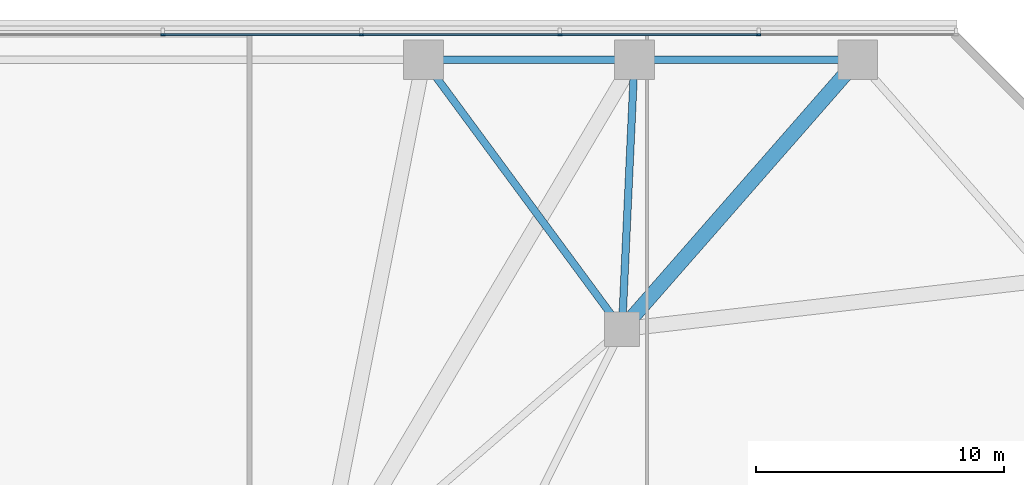
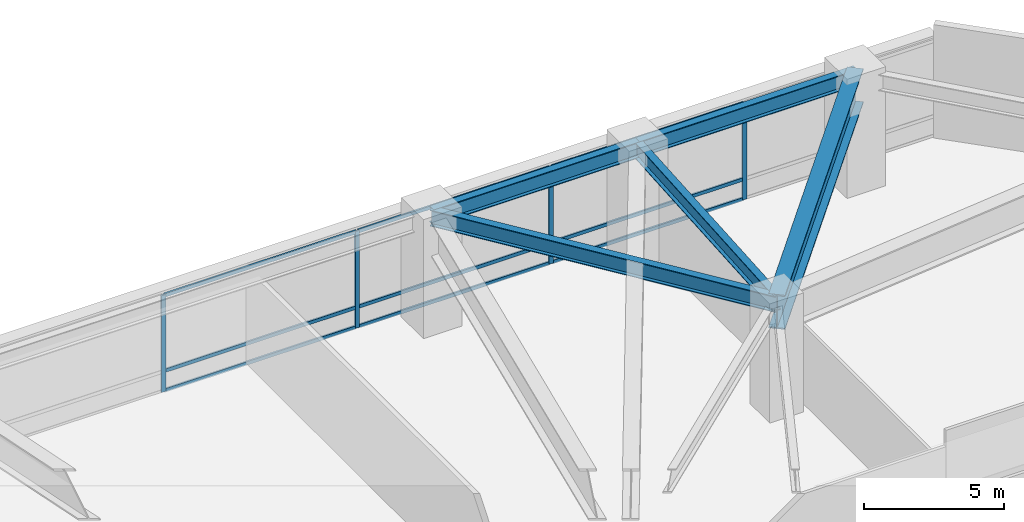
# One storey, part 11 of 27: 13 members, 5 beams, 1 element without a shape of its own.
"""IFC4 building model written with IfcOpenShell, lengths in metres."""

import ifcopenshell
import ifcopenshell.guid

model = None  # the IFC model being written
_history = None  # IfcOwnerHistory: only IFC2X3 demands one
_inside = {}  # id of a spatial element -> (the spatial element, [elements in it])
_under = {}  # id of a project, library or spatial element -> (it, [spatial elements below it])
_declared = {}  # id of a project -> (the project, [libraries it declares])
_typed = {}  # id of a type object -> (the type object, [elements of that type])
_made_of = {}  # id of a material, layer set ... -> (it, [elements and type objects made of it])


def new_model(schema):
    """Start an empty IFC model of exactly this schema.

    Asked for "IFC4X3", IfcOpenShell would pick the latest addendum, in which some entities
    have other attributes; the version numbers below select the first issue.
    IFC2X3 requires an IfcOwnerHistory on every rooted entity: one is made here for all.
    """
    global model, _history
    if schema == "IFC4X3":
        model = ifcopenshell.file(schema_version=(4, 3, 0, 0))
    else:
        model = ifcopenshell.file(schema=schema)
    _inside.clear()
    _under.clear()
    _declared.clear()
    _typed.clear()
    _made_of.clear()
    _history = None
    if model.schema == "IFC2X3":
        org = make("IfcOrganization", Name="unknown")
        user = make(
            "IfcPersonAndOrganization",
            ThePerson=make("IfcPerson", FamilyName="unknown"),
            TheOrganization=org,
        )
        app = make(
            "IfcApplication",
            ApplicationDeveloper=org,
            Version="unknown",
            ApplicationFullName="unknown",
            ApplicationIdentifier="unknown",
        )
        _history = make(
            "IfcOwnerHistory",
            OwningUser=user,
            OwningApplication=app,
            ChangeAction="ADDED",
            CreationDate=0,
        )
    return model


def make(cls, **values):
    """One entity of the class cls with the attributes given. An attribute that is None is left unset."""
    return model.create_entity(
        cls, **{name: value for name, value in values.items() if value is not None}
    )


def rooted(cls, **values):
    """An entity with a GlobalId (a new one), such as an element, a storey or a relation."""
    return make(cls, GlobalId=ifcopenshell.guid.new(), OwnerHistory=_history, **values)


def si_unit(unit_type, name, prefix=None):
    """IfcSIUnit, for example si_unit("LENGTHUNIT", "METRE", prefix="MILLI")."""
    return make("IfcSIUnit", UnitType=unit_type, Prefix=prefix, Name=name)


def assignment(units):
    """IfcUnitAssignment: the units of a project."""
    return None if units is None else make("IfcUnitAssignment", Units=units)


def point(xyz):
    """IfcCartesianPoint."""
    return None if xyz is None else make("IfcCartesianPoint", Coordinates=xyz)


def direction(xyz):
    """IfcDirection."""
    return None if xyz is None else make("IfcDirection", DirectionRatios=xyz)


def frame(location, z_axis=None, x_axis=None):
    """IfcAxis2Placement3D, a coordinate frame: its origin and axes. An axis left out is left unset."""
    return make(
        "IfcAxis2Placement3D",
        Location=point(location),
        Axis=direction(z_axis),
        RefDirection=direction(x_axis),
    )


def frame_2d(location, x_axis=None):
    """IfcAxis2Placement2D, a coordinate frame in the plane: its origin and x axis."""
    return make(
        "IfcAxis2Placement2D", Location=point(location), RefDirection=direction(x_axis)
    )


def origin():
    """The frame at (0, 0, 0) with its axes left unset."""
    return frame((0.0, 0.0, 0.0))


def origin_2d():
    """The frame at (0, 0) in the plane with its x axis left unset."""
    return frame_2d((0.0, 0.0))


def place(relative_to, where):
    """IfcLocalPlacement: puts the frame where relative to a parent placement (None: the world)."""
    return make(
        "IfcLocalPlacement", PlacementRelTo=relative_to, RelativePlacement=where
    )


def context(
    kind, dimensions, precision=None, world=None, true_north=None, identifier=None
):
    """IfcGeometricRepresentationContext, for example the 3D "Model" context."""
    return make(
        "IfcGeometricRepresentationContext",
        ContextIdentifier=identifier,
        ContextType=kind,
        CoordinateSpaceDimension=dimensions,
        Precision=precision,
        WorldCoordinateSystem=world,
        TrueNorth=true_north,
    )


def subcontext(parent, identifier, kind, view, scale=None):
    """IfcGeometricRepresentationSubContext, for example "Body" below "Model"."""
    return make(
        "IfcGeometricRepresentationSubContext",
        ContextIdentifier=identifier,
        ContextType=kind,
        ParentContext=parent,
        TargetScale=scale,
        TargetView=view,
    )


def project(units=None, contexts=None):
    """IfcProject with its units and contexts."""
    return rooted(
        "IfcProject",
        Name="project",
        RepresentationContexts=contexts,
        UnitsInContext=assignment(units),
    )


def spatial(cls, under=None, at=None, **own):
    """A site, building, storey or space (cls), placed at a placement, below another one or the project."""
    s = rooted(cls, ObjectPlacement=at, **own)
    if under is not None:
        _under.setdefault(under.id(), (under, []))[1].append(s)
    return s


def profile(cls, at=None, kind="AREA", **sizes):
    """A parametric profile (cls). Its sizes go by their IFC names, for example OverallWidth=200.0."""
    return make(cls, ProfileType=kind, Position=at, **sizes)


def rectangle(**sizes):
    """IfcRectangleProfileDef."""
    return profile("IfcRectangleProfileDef", **sizes)


def i_section(**sizes):
    """IfcIShapeProfileDef."""
    return profile("IfcIShapeProfileDef", **sizes)


def extrude(swept, where, along, depth):
    """IfcExtrudedAreaSolid: the profile swept, set in the frame where, extruded along a direction by depth."""
    return make(
        "IfcExtrudedAreaSolid",
        SweptArea=swept,
        Position=where,
        ExtrudedDirection=direction(along),
        Depth=depth,
    )


def shape(context_of_items, identifier, shape_type, items):
    """IfcShapeRepresentation: the items that make up one representation, for example the "Body"."""
    return make(
        "IfcShapeRepresentation",
        ContextOfItems=context_of_items,
        RepresentationIdentifier=identifier,
        RepresentationType=shape_type,
        Items=items,
    )


def material(Name=None, Category=None):
    """IfcMaterial."""
    return make("IfcMaterial", Name=Name, Category=Category)


def layer(
    of_material, thickness, ventilated=None, Name=None, Category=None, Priority=None
):
    """IfcMaterialLayer: one layer of a wall or slab, of a material (None: an air gap)."""
    return make(
        "IfcMaterialLayer",
        Material=of_material,
        LayerThickness=thickness,
        IsVentilated=ventilated,
        Name=Name,
        Category=Category,
        Priority=Priority,
    )


def layer_set(layers, Name=None):
    """IfcMaterialLayerSet."""
    return make("IfcMaterialLayerSet", MaterialLayers=layers, LayerSetName=Name)


def material_profile(
    of_material, cross_section, Name=None, Category=None, Priority=None
):
    """IfcMaterialProfile: a cross section and its material."""
    return make(
        "IfcMaterialProfile",
        Name=Name,
        Material=of_material,
        Profile=cross_section,
        Priority=Priority,
        Category=Category,
    )


def profile_set(profiles, Name=None, composite=None):
    """IfcMaterialProfileSet."""
    return make(
        "IfcMaterialProfileSet",
        Name=Name,
        MaterialProfiles=profiles,
        CompositeProfile=composite,
    )


def made_of(thing, what):
    """Note that an element or type object is made of a material, layer set ...; save() writes the relation."""
    if what is not None:
        _made_of.setdefault(what.id(), (what, []))[1].append(thing)
    return thing


def type_object(cls, material=None, **own):
    """A type object (cls), such as IfcWallType, which elements share."""
    return made_of(rooted(cls, **own), material)


def element(
    cls,
    number,
    at=None,
    inside=None,
    cuts=None,
    type_object=None,
    material=None,
    context=None,
    identifier="Body",
    shape_type=None,
    held_by="IfcProductDefinitionShape",
    body=None,
    shapes=None,
    **own,
):
    """One element of the class cls, such as IfcWall. Its Tag is "e" and its number.

    at: its placement. inside: the storey or other place that contains it. cuts: it is an
    opening in that element (IfcRelVoidsElement). A single representation is given by context,
    identifier, shape_type and body (its items); several are given by shapes. held_by: the class
    of the entity that holds the representations. save() writes the other relations.
    """
    e = rooted(cls, Tag="e%d" % number, ObjectPlacement=at, **own)
    if body is not None:
        shapes = [shape(context, identifier, shape_type, body)]
    if shapes is not None:
        e.Representation = make(held_by, Representations=shapes)
    if inside is not None:
        _inside.setdefault(inside.id(), (inside, []))[1].append(e)
    if cuts is not None:
        rooted(
            "IfcRelVoidsElement", RelatingBuildingElement=cuts, RelatedOpeningElement=e
        )
    if type_object is not None:
        _typed.setdefault(type_object.id(), (type_object, []))[1].append(e)
    return made_of(e, material)


def aggregate(whole, parts):
    """IfcRelAggregates: a whole, such as a stair, and the parts it consists of."""
    return rooted("IfcRelAggregates", RelatingObject=whole, RelatedObjects=parts)


def save(model, path):
    """Write the relations noted so far, then the file.

    IfcRelAggregates (storeys below a building ...), IfcRelContainedInSpatialStructure (elements
    in a storey), IfcRelDefinesByType, IfcRelAssociatesMaterial and IfcRelDeclares: one each for
    every whole, place, type object, material and project.
    """
    for whole, parts in _under.values():
        aggregate(whole, parts)
    for where, things in _inside.values():
        rooted(
            "IfcRelContainedInSpatialStructure",
            RelatedElements=things,
            RelatingStructure=where,
        )
    for kind, things in _typed.values():
        rooted("IfcRelDefinesByType", RelatedObjects=things, RelatingType=kind)
    for what, things in _made_of.values():
        rooted("IfcRelAssociatesMaterial", RelatedObjects=things, RelatingMaterial=what)
    for by, libraries in _declared.values():
        rooted("IfcRelDeclares", RelatingContext=by, RelatedDefinitions=libraries)
    model.write(path)


model = new_model("IFC4")

# Units and contexts
model_context = context("Model", 3, precision=1e-05, world=origin(), true_north=direction((0.0, 1.0)))
body_context = subcontext(model_context, "Body", "Model", "MODEL_VIEW")
ifc_project = project(units=[si_unit("LENGTHUNIT", "METRE"), si_unit("AREAUNIT", "SQUARE_METRE"), si_unit("VOLUMEUNIT", "CUBIC_METRE"), si_unit("PLANEANGLEUNIT", "RADIAN"), si_unit("MASSUNIT", "GRAM", prefix="KILO")], contexts=[model_context])

# Site, building, storey
site_placement = place(None, origin())
site = spatial("IfcSite", under=ifc_project, at=site_placement, CompositionType="ELEMENT")
building_placement = place(site_placement, origin())
building = spatial("IfcBuilding", under=site, at=building_placement, Name="Terralouvre Media Tower", CompositionType="ELEMENT")
storey_placement = place(building_placement, frame((0.0, 0.0, 15.60009765625)))
storey = spatial("IfcBuildingStorey", under=building, at=storey_placement, Name="L03", CompositionType="ELEMENT", Elevation=15.60009765625)

# Curtain wall, members
ifc_material_1 = material(Name="Low-iron laminated double glazing with solar-control coating", Category="glass")
ifc_layer = layer(ifc_material_1, 0.1650390625, Name="Podium Broadcast Gallery Glazing CW-01")
ifc_layer_set = layer_set([ifc_layer], Name="Low-iron laminated double glazing with solar-control coating")
curtain_wall_type = type_object("IfcCurtainWallType", Name="Podium Broadcast Gallery Glazing CW-01", PredefinedType="NOTDEFINED", material=ifc_layer_set)
curtain_wall_placement = place(storey_placement, origin())
curtain_wall = element("IfcCurtainWall", 1, at=curtain_wall_placement, inside=storey, type_object=curtain_wall_type, Name="L03 Podium Curtain Wall F4", PredefinedType="NOTDEFINED")
ifc_material_2 = material(Name="Anodised extruded aluminium 6063-T6", Category="aluminium")
ifc_material_profile_1 = material_profile(ifc_material_2, rectangle(XDim=0.074951171875, YDim=0.14990234375, at=origin_2d()), Name="ALU 75x150")
ifc_profile_set_1 = profile_set([ifc_material_profile_1], Name="Anodised extruded aluminium 6063-T6")
member_type_1 = type_object("IfcMemberType", Name="Curtain-Wall Horizontal Transom TR-150", PredefinedType="USERDEFINED", material=ifc_profile_set_1)
member_1_placement = place(storey_placement, frame((23.96240234375, 33.360107421875, 0.037353515625), z_axis=(-1.0, 0.0, 0.0), x_axis=(0.0, -1.0, 0.0)))
member_1 = element("IfcMember", 2, at=member_1_placement, type_object=member_type_1, Name="CW-01 transom 2.1", ObjectType="TRANSOM", PredefinedType="USERDEFINED", context=body_context, shape_type="SweptSolid", body=[
    extrude(rectangle(XDim=0.074951171875, YDim=0.14990234375, at=origin_2d()), origin(), (0.0, 0.0, 1.0), 7.9248046875),
])
member_2_placement = place(storey_placement, frame((23.96240234375, 33.360107421875, 0.89990234375), z_axis=(-1.0, 0.0, 0.0), x_axis=(0.0, -1.0, 0.0)))
member_2 = element("IfcMember", 3, at=member_2_placement, type_object=member_type_1, Name="CW-01 transom 2.2", ObjectType="TRANSOM", PredefinedType="USERDEFINED", context=body_context, shape_type="SweptSolid", body=[
    extrude(rectangle(XDim=0.074951171875, YDim=0.14990234375, at=origin_2d()), origin(), (0.0, 0.0, 1.0), 7.9248046875),
])
member_3_placement = place(storey_placement, frame((23.96240234375, 33.360107421875, 4.1923828125), z_axis=(-1.0, 0.0, 0.0), x_axis=(0.0, -1.0, 0.0)))
member_3 = element("IfcMember", 4, at=member_3_placement, type_object=member_type_1, Name="CW-01 transom 2.3", ObjectType="TRANSOM", PredefinedType="USERDEFINED", context=body_context, shape_type="SweptSolid", body=[
    extrude(rectangle(XDim=0.074951171875, YDim=0.14990234375, at=origin_2d()), origin(), (0.0, 0.0, 1.0), 7.9248046875),
])
member_4_placement = place(storey_placement, frame((15.96240234375, 33.360107421875, 0.037353515625), z_axis=(-1.0, 0.0, 0.0), x_axis=(0.0, -1.0, 0.0)))
member_4 = element("IfcMember", 5, at=member_4_placement, type_object=member_type_1, Name="CW-01 transom 3.1", ObjectType="TRANSOM", PredefinedType="USERDEFINED", context=body_context, shape_type="SweptSolid", body=[
    extrude(rectangle(XDim=0.074951171875, YDim=0.14990234375, at=origin_2d()), origin(), (0.0, 0.0, 1.0), 7.9248046875),
])
member_5_placement = place(storey_placement, frame((15.96240234375, 33.360107421875, 0.89990234375), z_axis=(-1.0, 0.0, 0.0), x_axis=(0.0, -1.0, 0.0)))
member_5 = element("IfcMember", 6, at=member_5_placement, type_object=member_type_1, Name="CW-01 transom 3.2", ObjectType="TRANSOM", PredefinedType="USERDEFINED", context=body_context, shape_type="SweptSolid", body=[
    extrude(rectangle(XDim=0.074951171875, YDim=0.14990234375, at=origin_2d()), origin(), (0.0, 0.0, 1.0), 7.9248046875),
])
member_6_placement = place(storey_placement, frame((15.96240234375, 33.360107421875, 4.1923828125), z_axis=(-1.0, 0.0, 0.0), x_axis=(0.0, -1.0, 0.0)))
member_6 = element("IfcMember", 7, at=member_6_placement, type_object=member_type_1, Name="CW-01 transom 3.3", ObjectType="TRANSOM", PredefinedType="USERDEFINED", context=body_context, shape_type="SweptSolid", body=[
    extrude(rectangle(XDim=0.074951171875, YDim=0.14990234375, at=origin_2d()), origin(), (0.0, 0.0, 1.0), 7.9248046875),
])
member_7_placement = place(storey_placement, frame((7.96240234375, 33.360107421875, 0.037353515625), z_axis=(-1.0, 0.0, 0.0), x_axis=(0.0, -1.0, 0.0)))
member_7 = element("IfcMember", 8, at=member_7_placement, type_object=member_type_1, Name="CW-01 transom 4.1", ObjectType="TRANSOM", PredefinedType="USERDEFINED", context=body_context, shape_type="SweptSolid", body=[
    extrude(rectangle(XDim=0.074951171875, YDim=0.14990234375, at=origin_2d()), origin(), (0.0, 0.0, 1.0), 7.9248046875),
])
member_8_placement = place(storey_placement, frame((7.96240234375, 33.360107421875, 0.89990234375), z_axis=(-1.0, 0.0, 0.0), x_axis=(0.0, -1.0, 0.0)))
member_8 = element("IfcMember", 9, at=member_8_placement, type_object=member_type_1, Name="CW-01 transom 4.2", ObjectType="TRANSOM", PredefinedType="USERDEFINED", context=body_context, shape_type="SweptSolid", body=[
    extrude(rectangle(XDim=0.074951171875, YDim=0.14990234375, at=origin_2d()), origin(), (0.0, 0.0, 1.0), 7.9248046875),
])
member_9_placement = place(storey_placement, frame((7.96240234375, 33.360107421875, 4.1923828125), z_axis=(-1.0, 0.0, 0.0), x_axis=(0.0, -1.0, 0.0)))
member_9 = element("IfcMember", 10, at=member_9_placement, type_object=member_type_1, Name="CW-01 transom 4.3", ObjectType="TRANSOM", PredefinedType="USERDEFINED", context=body_context, shape_type="SweptSolid", body=[
    extrude(rectangle(XDim=0.074951171875, YDim=0.14990234375, at=origin_2d()), origin(), (0.0, 0.0, 1.0), 7.9248046875),
])
ifc_material_3 = material(Name="Anodised extruded aluminium 6063-T6", Category="aluminium")
ifc_material_profile_2 = material_profile(ifc_material_3, rectangle(XDim=0.074951171875, YDim=0.179931640625, at=origin_2d()), Name="ALU 75x180")
ifc_profile_set_2 = profile_set([ifc_material_profile_2], Name="Anodised extruded aluminium 6063-T6")
member_type_2 = type_object("IfcMemberType", Name="Curtain-Wall Vertical Mullion ML-180", PredefinedType="MULLION", material=ifc_profile_set_2)
member_10_placement = place(storey_placement, frame((24.0, 33.360107421875, 0.0), z_axis=(0.0, 0.0, 1.0), x_axis=(0.0, -1.0, 0.0)))
member_10 = element("IfcMember", 11, at=member_10_placement, type_object=member_type_2, Name="CW-01 mullion 2", PredefinedType="MULLION", context=body_context, shape_type="SweptSolid", body=[
    extrude(rectangle(XDim=0.074951171875, YDim=0.179931640625, at=origin_2d()), origin(), (0.0, 0.0, 1.0), 4.22998046875),
])
member_11_placement = place(storey_placement, frame((16.0, 33.360107421875, 0.0), z_axis=(0.0, 0.0, 1.0), x_axis=(0.0, -1.0, 0.0)))
member_11 = element("IfcMember", 12, at=member_11_placement, type_object=member_type_2, Name="CW-01 mullion 3", PredefinedType="MULLION", context=body_context, shape_type="SweptSolid", body=[
    extrude(rectangle(XDim=0.074951171875, YDim=0.179931640625, at=origin_2d()), origin(), (0.0, 0.0, 1.0), 4.22998046875),
])
member_12_placement = place(storey_placement, frame((8.0, 33.360107421875, 0.0), z_axis=(0.0, 0.0, 1.0), x_axis=(0.0, -1.0, 0.0)))
member_12 = element("IfcMember", 13, at=member_12_placement, type_object=member_type_2, Name="CW-01 mullion 4", PredefinedType="MULLION", context=body_context, shape_type="SweptSolid", body=[
    extrude(rectangle(XDim=0.074951171875, YDim=0.179931640625, at=origin_2d()), origin(), (0.0, 0.0, 1.0), 4.22998046875),
])
member_13_placement = place(storey_placement, frame((0.0, 33.360107421875, 0.0), z_axis=(0.0, 0.0, 1.0), x_axis=(0.0, -1.0, 0.0)))
member_13 = element("IfcMember", 14, at=member_13_placement, type_object=member_type_2, Name="CW-01 mullion 5", PredefinedType="MULLION", context=body_context, shape_type="SweptSolid", body=[
    extrude(rectangle(XDim=0.074951171875, YDim=0.179931640625, at=origin_2d()), origin(), (0.0, 0.0, 1.0), 4.22998046875),
])
aggregate(curtain_wall, [member_10, member_11, member_12, member_13, member_1, member_2, member_3, member_4, member_5, member_6, member_7, member_8, member_9])

# Beams
ifc_material_4 = material(Name="Structural steel S460M", Category="steel")
ifc_material_profile_3 = material_profile(ifc_material_4, i_section(OverallWidth=0.300048828125, OverallDepth=0.699951171875, WebThickness=0.01708984375, FlangeThickness=0.031982421875, at=origin_2d()), Name="HEB 700")
ifc_profile_set_3 = profile_set([ifc_material_profile_3], Name="Structural steel S460M")
beam_type_1 = type_object("IfcBeamType", Name="Primary Floor Girder B-HEB700 (HEB 700)", PredefinedType="BEAM", material=ifc_profile_set_3)
beam_1_placement = place(storey_placement, frame((18.5, 21.5, 4.599853515625), z_axis=(0.046033681898, 0.998939888147, 0.0), x_axis=(-0.998939888147, 0.046033681898, 0.0)))
element("IfcBeam", 15, at=beam_1_placement, inside=storey, type_object=beam_type_1, Name="L03 Framing Beam BM-L03-PM20P1", PredefinedType="BEAM", context=body_context, shape_type="SweptSolid", body=[
    extrude(i_section(OverallWidth=0.300048828125, OverallDepth=0.699951171875, WebThickness=0.01708984375, FlangeThickness=0.031982421875, at=origin_2d()), origin(), (0.0, 0.0, 1.0), 10.861572265625),
])
beam_2_placement = place(storey_placement, frame((18.5, 21.5, 4.599853515625), z_axis=(-0.593448591359, 0.804871896276, 0.0), x_axis=(-0.804871896276, -0.593448591359, 0.0)))
element("IfcBeam", 16, at=beam_2_placement, inside=storey, type_object=beam_type_1, Name="L03 Framing Beam BM-L03-PM20P2", PredefinedType="BEAM", context=body_context, shape_type="SweptSolid", body=[
    extrude(i_section(OverallWidth=0.300048828125, OverallDepth=0.699951171875, WebThickness=0.01708984375, FlangeThickness=0.031982421875, at=origin_2d()), origin(), (0.0, 0.0, 1.0), 13.48046875),
])
beam_3_placement = place(storey_placement, frame((28.0, 32.35009765625, 4.599853515625), z_axis=(-1.0, 0.0, 0.0), x_axis=(0.0, -1.0, 0.0)))
element("IfcBeam", 17, at=beam_3_placement, inside=storey, type_object=beam_type_1, Name="L03 Framing Beam BM-L03-PR11", PredefinedType="BEAM", context=body_context, shape_type="SweptSolid", body=[
    extrude(i_section(OverallWidth=0.300048828125, OverallDepth=0.699951171875, WebThickness=0.01708984375, FlangeThickness=0.031982421875, at=origin_2d()), origin(), (0.0, 0.0, 1.0), 9.0),
])
beam_4_placement = place(storey_placement, frame((19.0, 32.35009765625, 4.599853515625), z_axis=(-1.0, 0.0, 0.0), x_axis=(0.0, -1.0, 0.0)))
element("IfcBeam", 18, at=beam_4_placement, inside=storey, type_object=beam_type_1, Name="L03 Framing Beam BM-L03-PR12", PredefinedType="BEAM", context=body_context, shape_type="SweptSolid", body=[
    extrude(i_section(OverallWidth=0.300048828125, OverallDepth=0.699951171875, WebThickness=0.01708984375, FlangeThickness=0.031982421875, at=origin_2d()), origin(), (0.0, 0.0, 1.0), 8.5),
])
ifc_material_5 = material(Name="Structural steel S460M", Category="steel")
ifc_material_profile_4 = material_profile(ifc_material_5, i_section(OverallWidth=0.60009765625, OverallDepth=1.5, WebThickness=0.033935546875, FlangeThickness=0.054931640625, at=origin_2d()), Name="PG 1500x600")
ifc_profile_set_4 = profile_set([ifc_material_profile_4], Name="Structural steel S460M")
beam_type_2 = type_object("IfcBeamType", Name="Primary Floor Girder B-PG1500 (PG 1500x600)", PredefinedType="BEAM", material=ifc_profile_set_4)
beam_5_placement = place(storey_placement, frame((18.5, 21.5, 4.199951171875), z_axis=(0.658746675471, 0.752364816799, 0.0), x_axis=(-0.752364816799, 0.658746675471, 0.0)))
element("IfcBeam", 19, at=beam_5_placement, inside=storey, type_object=beam_type_2, Name="L03 Framing Beam BM-L03-RD11", PredefinedType="BEAM", context=body_context, shape_type="SweptSolid", body=[
    extrude(i_section(OverallWidth=0.60009765625, OverallDepth=1.5, WebThickness=0.033935546875, FlangeThickness=0.054931640625, at=origin_2d()), origin(), (0.0, 0.0, 1.0), 14.42138671875),
])

save(model, "model.ifc")
